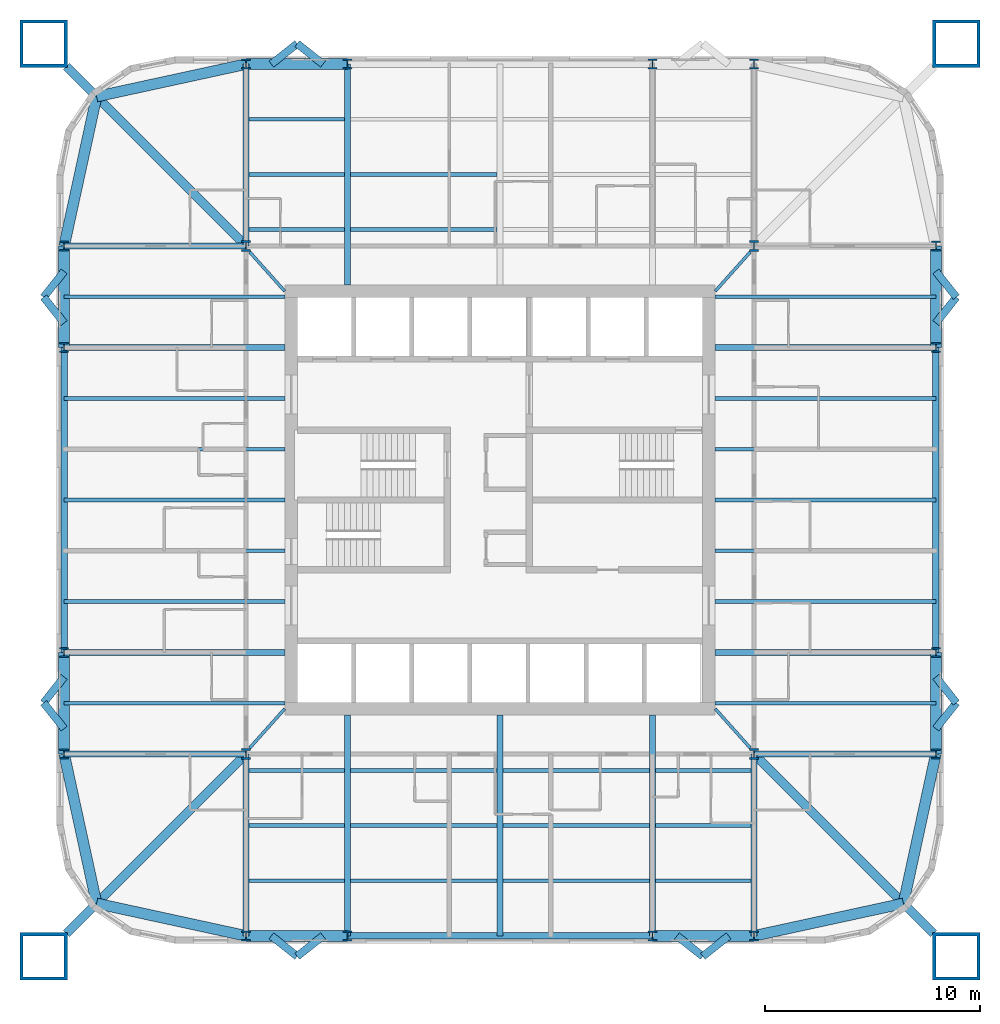
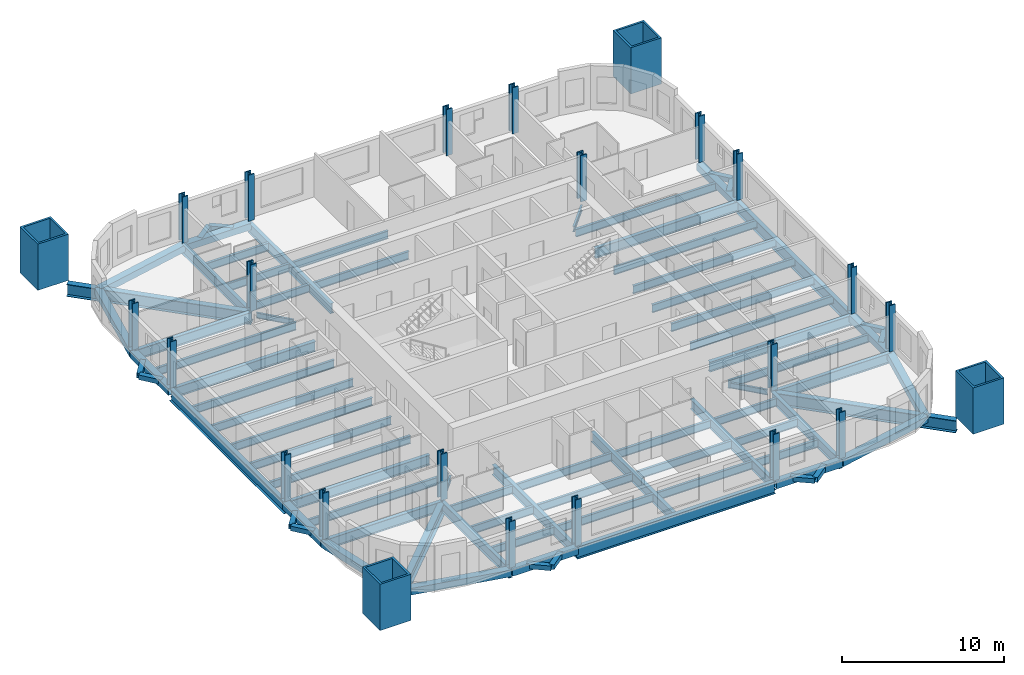
# One storey, part 1 of 10: 82 beams, 24 columns.
"""IFC4 building model written with IfcOpenShell, lengths in metres."""

from ifc_helpers import new_model, si_unit, direction, frame, origin, origin_2d, place, context, subcontext, project, spatial, hollow_rectangle, i_section, extrude, material, material_profile, profile_set, type_object, element, save


model = new_model("IFC4")

# Units and contexts
model_context = context("Model", 3, precision=1e-05, world=origin(), true_north=direction((0.0, 1.0)))
body_context = subcontext(model_context, "Body", "Model", "MODEL_VIEW")
ifc_project = project(units=[si_unit("LENGTHUNIT", "METRE"), si_unit("AREAUNIT", "SQUARE_METRE"), si_unit("VOLUMEUNIT", "CUBIC_METRE"), si_unit("PLANEANGLEUNIT", "RADIAN"), si_unit("MASSUNIT", "GRAM", prefix="KILO")], contexts=[model_context])

# Site, building, storey
site_placement = place(None, origin())
site = spatial("IfcSite", under=ifc_project, at=site_placement, CompositionType="ELEMENT")
building_placement = place(site_placement, origin())
building = spatial("IfcBuilding", under=site, at=building_placement, Name="Turquesa Mirador Hotel Tower", CompositionType="ELEMENT")
storey_placement = place(building_placement, frame((0.0, 0.0, 138.89990234375)))
storey = spatial("IfcBuildingStorey", under=building, at=storey_placement, Name="L37", CompositionType="ELEMENT", Elevation=138.89990234375)

# Columns
ifc_material_1 = material(Name="Steel ASTM A992 Grade 50", Category="steel")
ifc_material_profile_1 = material_profile(ifc_material_1, i_section(OverallWidth=0.421630859375, OverallDepth=0.46484375, WebThickness=0.044921875, FlangeThickness=0.072509765625, at=origin_2d()), Name="W14X398")
ifc_profile_set_1 = profile_set([ifc_material_profile_1], Name="Steel ASTM A992 Grade 50")
column_type_1 = type_object("IfcColumnType", Name="COLUMN W14X398", PredefinedType="COLUMN", material=ifc_profile_set_1)
for number, where, z_axis, x_axis, name in (
    (1, (34.75, 33.199951171875, 0.0), (0.0, 0.0, 1.0), (1.0, 0.0, 0.0), "COL-L37-P--20.25--11.80"),
    (2, (34.75, 37.919921875, 0.0), (0.0, 0.0, 1.0), (1.0, 0.0, 0.0), "COL-L37-P--20.25--7.08"),
    (3, (34.75, 52.080078125, 0.0), (0.0, 0.0, 1.0), (1.0, 0.0, 0.0), "COL-L37-P--20.25-+7.08"),
    (4, (34.75, 56.800048828125, 0.0), (0.0, 0.0, 1.0), (1.0, 0.0, 0.0), "COL-L37-P--20.25-+11.80"),
    (5, (43.199951171875, 24.75, 0.0), (0.0, 0.0, 1.0), (1.0, 0.0, 0.0), "COL-L37-P--11.80--20.25"),
    (6, (43.199951171875, 65.25, 0.0), (0.0, 0.0, 1.0), (1.0, 0.0, 0.0), "COL-L37-P--11.80-+20.25"),
    (7, (47.919921875, 24.75, 0.0), (0.0, 0.0, 1.0), (1.0, 0.0, 0.0), "COL-L37-P--7.08--20.25"),
    (8, (47.919921875, 65.25, 0.0), (0.0, 0.0, 1.0), (1.0, 0.0, 0.0), "COL-L37-P--7.08-+20.25"),
    (9, (62.080078125, 24.75, 0.0), (0.0, 0.0, 1.0), (1.0, 0.0, 0.0), "COL-L37-P-+7.08--20.25"),
    (10, (62.080078125, 65.25, 0.0), (0.0, 0.0, 1.0), (1.0, 0.0, 0.0), "COL-L37-P-+7.08-+20.25"),
    (11, (66.800048828125, 24.75, 0.0), (0.0, 0.0, 1.0), (1.0, 0.0, 0.0), "COL-L37-P-+11.80--20.25"),
    (12, (66.800048828125, 65.25, 0.0), (0.0, 0.0, 1.0), (1.0, 0.0, 0.0), "COL-L37-P-+11.80-+20.25"),
    (13, (75.25, 33.199951171875, 0.0), (0.0, 0.0, 1.0), (1.0, 0.0, 0.0), "COL-L37-P-+20.25--11.80"),
    (14, (75.25, 37.919921875, 0.0), (0.0, 0.0, 1.0), (1.0, 0.0, 0.0), "COL-L37-P-+20.25--7.08"),
    (15, (75.25, 52.080078125, 0.0), (0.0, 0.0, 1.0), (1.0, 0.0, 0.0), "COL-L37-P-+20.25-+7.08"),
    (16, (75.25, 56.800048828125, 0.0), (0.0, 0.0, 1.0), (1.0, 0.0, 0.0), "COL-L37-P-+20.25-+11.80"),
):
    element("IfcColumn", number, at=place(storey_placement, frame(where, z_axis=z_axis, x_axis=x_axis)), inside=storey, type_object=column_type_1, Name=name, PredefinedType="COLUMN", context=body_context, shape_type="SweptSolid", body=[
        extrude(i_section(OverallWidth=0.421630859375, OverallDepth=0.46484375, WebThickness=0.044921875, FlangeThickness=0.072509765625, at=origin_2d()), origin(), (0.0, 0.0, 1.0), 3.5),
    ])
ifc_material_2 = material(Name="Steel ASTM A992 Grade 50", Category="steel")
ifc_material_profile_2 = material_profile(ifc_material_2, i_section(OverallWidth=0.431884765625, OverallDepth=0.497802734375, WebThickness=0.0556640625, FlangeThickness=0.0888671875, at=origin_2d()), Name="W14X500")
ifc_profile_set_2 = profile_set([ifc_material_profile_2], Name="Steel ASTM A992 Grade 50")
column_type_2 = type_object("IfcColumnType", Name="COLUMN W14X500", PredefinedType="COLUMN", material=ifc_profile_set_2)
for number, where, z_axis, x_axis, name in (
    (17, (43.199951171875, 33.199951171875, 0.0), (0.0, 0.0, 1.0), (1.0, 0.0, 0.0), "COL-L37-K--11.80--11.80"),
    (18, (43.199951171875, 56.800048828125, 0.0), (0.0, 0.0, 1.0), (1.0, 0.0, 0.0), "COL-L37-K--11.80-+11.80"),
    (19, (66.800048828125, 33.199951171875, 0.0), (0.0, 0.0, 1.0), (1.0, 0.0, 0.0), "COL-L37-K-+11.80--11.80"),
    (20, (66.800048828125, 56.800048828125, 0.0), (0.0, 0.0, 1.0), (1.0, 0.0, 0.0), "COL-L37-K-+11.80-+11.80"),
):
    element("IfcColumn", number, at=place(storey_placement, frame(where, z_axis=z_axis, x_axis=x_axis)), inside=storey, type_object=column_type_2, Name=name, PredefinedType="COLUMN", context=body_context, shape_type="SweptSolid", body=[
        extrude(i_section(OverallWidth=0.431884765625, OverallDepth=0.497802734375, WebThickness=0.0556640625, FlangeThickness=0.0888671875, at=origin_2d()), origin(), (0.0, 0.0, 1.0), 3.5),
    ])
ifc_material_3 = material(Name="Steel ASTM A514 Grade Q", Category="steel")
ifc_material_profile_3 = material_profile(ifc_material_3, hollow_rectangle(XDim=2.199951171875, YDim=2.199951171875, WallThickness=0.14990234375, at=origin_2d()), Name="BOX2200X2200X150")
ifc_profile_set_3 = profile_set([ifc_material_profile_3], Name="Steel ASTM A514 Grade Q")
column_type_3 = type_object("IfcColumnType", Name="MEGA COLUMN BOX2200X2200X150", PredefinedType="COLUMN", material=ifc_profile_set_3)
for number, where, z_axis, x_axis, name in (
    (21, (76.199951171875, 66.199951171875, 0.0), (0.0, 0.0, 1.0), (1.0, 0.0, 0.0), "Mega column M1"),
    (22, (33.800048828125, 66.199951171875, 0.0), (0.0, 0.0, 1.0), (1.0, 0.0, 0.0), "Mega column M2"),
    (23, (33.800048828125, 23.800048828125, 0.0), (0.0, 0.0, 1.0), (1.0, 0.0, 0.0), "Mega column M3"),
    (24, (76.199951171875, 23.800048828125, 0.0), (0.0, 0.0, 1.0), (1.0, 0.0, 0.0), "Mega column M4"),
):
    element("IfcColumn", number, at=place(storey_placement, frame(where, z_axis=z_axis, x_axis=x_axis)), inside=storey, type_object=column_type_3, Name=name, PredefinedType="COLUMN", context=body_context, shape_type="SweptSolid", body=[
        extrude(hollow_rectangle(XDim=2.199951171875, YDim=2.199951171875, WallThickness=0.14990234375, at=origin_2d()), origin(), (0.0, 0.0, 1.0), 3.5),
    ])

# Beams
ifc_material_4 = material(Name="Steel ASTM A572 Grade 50", Category="steel")
ifc_material_profile_4 = material_profile(ifc_material_4, hollow_rectangle(XDim=0.5, YDim=0.5, WallThickness=0.01611328125, at=origin_2d()), Name="BOX500X500X16")
ifc_profile_set_4 = profile_set([ifc_material_profile_4], Name="Steel ASTM A572 Grade 50")
beam_type_1 = type_object("IfcBeamType", Name="BEAM BOX500X500X16", PredefinedType="BEAM", material=ifc_profile_set_4)
for number, where, z_axis, x_axis, name in (
    (25, (43.199951171875, 65.25, -0.419921875), (1.0, 0.0, 0.0), (0.0, 1.0, 0.0), "EB-L37-N-L"),
    (26, (43.199951171875, 24.75, -0.419921875), (1.0, 0.0, 0.0), (0.0, 1.0, 0.0), "EB-L37-S-L"),
    (27, (62.080078125, 24.75, -0.419921875), (1.0, 0.0, 0.0), (0.0, 1.0, 0.0), "EB-L37-S-R"),
    (28, (75.25, 33.199951171875, -0.419921875), (0.0, 1.0, 0.0), (-1.0, 0.0, 0.0), "EB-L37-E-L"),
    (29, (75.25, 52.080078125, -0.419921875), (0.0, 1.0, 0.0), (-1.0, 0.0, 0.0), "EB-L37-E-R"),
    (30, (34.75, 33.199951171875, -0.419921875), (0.0, 1.0, 0.0), (-1.0, 0.0, 0.0), "EB-L37-W-L"),
    (31, (34.75, 52.080078125, -0.419921875), (0.0, 1.0, 0.0), (-1.0, 0.0, 0.0), "EB-L37-W-R"),
):
    element("IfcBeam", number, at=place(storey_placement, frame(where, z_axis=z_axis, x_axis=x_axis)), inside=storey, type_object=beam_type_1, Name=name, PredefinedType="BEAM", context=body_context, shape_type="SweptSolid", body=[
        extrude(hollow_rectangle(XDim=0.5, YDim=0.5, WallThickness=0.01611328125, at=origin_2d()), origin(), (0.0, 0.0, 1.0), 4.719970703125),
    ])
for number, where, z_axis, x_axis, name in (
    (32, (34.75, 56.800048828125, -0.419921875), (0.212328336885, 0.977198381781, 0.0), (-0.977198381781, 0.212328336885, 0.0), "KE-L37-2-0"),
    (33, (36.25830078125, 63.74169921875, -0.419921875), (0.977198381781, 0.212328336885, 0.0), (-0.212328336885, 0.977198381781, 0.0), "KE-L37-2-1"),
    (34, (34.75, 33.199951171875, -0.419921875), (0.212328336885, -0.977198381781, 0.0), (0.977198381781, 0.212328336885, 0.0), "KE-L37-3-0"),
    (35, (36.25830078125, 26.25830078125, -0.419921875), (0.977198381781, -0.212328336885, 0.0), (0.212328336885, 0.977198381781, 0.0), "KE-L37-3-1"),
    (36, (75.25, 33.199951171875, -0.419921875), (-0.212328336885, -0.977198381781, 0.0), (0.977198381781, -0.212328336885, 0.0), "KE-L37-4-0"),
    (37, (73.74169921875, 26.25830078125, -0.419921875), (-0.977198381781, -0.212328336885, 0.0), (0.212328336885, -0.977198381781, 0.0), "KE-L37-4-1"),
):
    element("IfcBeam", number, at=place(storey_placement, frame(where, z_axis=z_axis, x_axis=x_axis)), inside=storey, type_object=beam_type_1, Name=name, PredefinedType="BEAM", context=body_context, shape_type="SweptSolid", body=[
        extrude(hollow_rectangle(XDim=0.5, YDim=0.5, WallThickness=0.01611328125, at=origin_2d()), origin(), (0.0, 0.0, 1.0), 7.103515625),
    ])
ifc_material_5 = material(Name="Steel ASTM A992 Grade 50", Category="steel")
ifc_material_profile_5 = material_profile(ifc_material_5, i_section(OverallWidth=0.140380859375, OverallDepth=0.40380859375, WebThickness=0.007080078125, FlangeThickness=0.01123046875, at=origin_2d()), Name="W16X31")
ifc_profile_set_5 = profile_set([ifc_material_profile_5], Name="Steel ASTM A992 Grade 50")
beam_type_2 = type_object("IfcBeamType", Name="BEAM W16X31", PredefinedType="BEAM", material=ifc_profile_set_5)
for number, where, z_axis, x_axis, name in (
    (38, (66.626953125, 56.518310546875, -0.371826171875), (-0.66679485947, -0.745241313525, 0.0), (0.745241313525, -0.66679485947, 0.0), "KT-L37-1"),
    (39, (43.373046875, 56.518310546875, -0.371826171875), (0.66679485947, -0.745241313525, 0.0), (0.745241313525, 0.66679485947, 0.0), "KT-L37-2"),
    (40, (43.373046875, 33.481689453125, -0.371826171875), (0.66679485947, 0.745241313525, 0.0), (-0.745241313525, 0.66679485947, 0.0), "KT-L37-3"),
    (41, (66.626953125, 33.481689453125, -0.371826171875), (-0.66679485947, 0.745241313525, 0.0), (-0.745241313525, -0.66679485947, 0.0), "KT-L37-4"),
):
    element("IfcBeam", number, at=place(storey_placement, frame(where, z_axis=z_axis, x_axis=x_axis)), inside=storey, type_object=beam_type_2, Name=name, PredefinedType="BEAM", context=body_context, shape_type="SweptSolid", body=[
        extrude(i_section(OverallWidth=0.140380859375, OverallDepth=0.40380859375, WebThickness=0.007080078125, FlangeThickness=0.01123046875, at=origin_2d()), origin(), (0.0, 0.0, 1.0), 2.43994140625),
    ])
ifc_material_6 = material(Name="Steel ASTM A992 Grade 50", Category="steel")
ifc_material_profile_6 = material_profile(ifc_material_6, i_section(OverallWidth=0.177978515625, OverallDepth=0.599365234375, WebThickness=0.010009765625, FlangeThickness=0.012939453125, at=origin_2d()), Name="W24X55")
ifc_profile_set_6 = profile_set([ifc_material_profile_6], Name="Steel ASTM A992 Grade 50")
beam_type_3 = type_object("IfcBeamType", Name="BEAM W24X55", PredefinedType="BEAM", material=ifc_profile_set_6)
beam_1_placement = place(storey_placement, frame((43.333251953125, 57.56201171875, -0.4697265625), z_axis=(1.0, 0.0, 0.0), x_axis=(0.0, 1.0, 0.0)))
element("IfcBeam", 42, at=beam_1_placement, inside=storey, type_object=beam_type_3, Name="IB-L37-N-1-0", PredefinedType="BEAM", context=body_context, shape_type="SweptSolid", body=[
    extrude(i_section(OverallWidth=0.177978515625, OverallDepth=0.599365234375, WebThickness=0.010009765625, FlangeThickness=0.012939453125, at=origin_2d()), origin(), (0.0, 0.0, 1.0), 4.453369140625),
])
beam_2_placement = place(storey_placement, frame((48.053466796875, 57.56201171875, -0.4697265625), z_axis=(1.0, 0.0, 0.0), x_axis=(0.0, 1.0, 0.0)))
element("IfcBeam", 43, at=beam_2_placement, inside=storey, type_object=beam_type_3, Name="IB-L37-N-1-1", PredefinedType="BEAM", context=body_context, shape_type="SweptSolid", body=[
    extrude(i_section(OverallWidth=0.177978515625, OverallDepth=0.599365234375, WebThickness=0.010009765625, FlangeThickness=0.012939453125, at=origin_2d()), origin(), (0.0, 0.0, 1.0), 6.813232421875),
])
beam_3_placement = place(storey_placement, frame((43.333251953125, 60.125, -0.4697265625), z_axis=(1.0, 0.0, 0.0), x_axis=(0.0, 1.0, 0.0)))
element("IfcBeam", 44, at=beam_3_placement, inside=storey, type_object=beam_type_3, Name="IB-L37-N-2-0", PredefinedType="BEAM", context=body_context, shape_type="SweptSolid", body=[
    extrude(i_section(OverallWidth=0.177978515625, OverallDepth=0.599365234375, WebThickness=0.010009765625, FlangeThickness=0.012939453125, at=origin_2d()), origin(), (0.0, 0.0, 1.0), 4.453369140625),
])
beam_4_placement = place(storey_placement, frame((48.053466796875, 60.125, -0.4697265625), z_axis=(1.0, 0.0, 0.0), x_axis=(0.0, 1.0, 0.0)))
element("IfcBeam", 45, at=beam_4_placement, inside=storey, type_object=beam_type_3, Name="IB-L37-N-2-1", PredefinedType="BEAM", context=body_context, shape_type="SweptSolid", body=[
    extrude(i_section(OverallWidth=0.177978515625, OverallDepth=0.599365234375, WebThickness=0.010009765625, FlangeThickness=0.012939453125, at=origin_2d()), origin(), (0.0, 0.0, 1.0), 6.813232421875),
])
for number, where, z_axis, x_axis, name in (
    (46, (43.333251953125, 62.68798828125, -0.4697265625), (1.0, 0.0, 0.0), (0.0, 1.0, 0.0), "IB-L37-N-3-0"),
    (47, (43.333251953125, 32.43798828125, -0.4697265625), (1.0, 0.0, 0.0), (0.0, 1.0, 0.0), "IB-L37-S-1-0"),
):
    element("IfcBeam", number, at=place(storey_placement, frame(where, z_axis=z_axis, x_axis=x_axis)), inside=storey, type_object=beam_type_3, Name=name, PredefinedType="BEAM", context=body_context, shape_type="SweptSolid", body=[
        extrude(i_section(OverallWidth=0.177978515625, OverallDepth=0.599365234375, WebThickness=0.010009765625, FlangeThickness=0.012939453125, at=origin_2d()), origin(), (0.0, 0.0, 1.0), 4.453369140625),
    ])
for number, where, z_axis, x_axis, name in (
    (48, (48.053466796875, 32.43798828125, -0.4697265625), (1.0, 0.0, 0.0), (0.0, 1.0, 0.0), "IB-L37-S-1-1"),
    (49, (55.13330078125, 32.43798828125, -0.4697265625), (1.0, 0.0, 0.0), (0.0, 1.0, 0.0), "IB-L37-S-1-2"),
):
    element("IfcBeam", number, at=place(storey_placement, frame(where, z_axis=z_axis, x_axis=x_axis)), inside=storey, type_object=beam_type_3, Name=name, PredefinedType="BEAM", context=body_context, shape_type="SweptSolid", body=[
        extrude(i_section(OverallWidth=0.177978515625, OverallDepth=0.599365234375, WebThickness=0.010009765625, FlangeThickness=0.012939453125, at=origin_2d()), origin(), (0.0, 0.0, 1.0), 6.813232421875),
    ])
for number, where, z_axis, x_axis, name in (
    (50, (62.21337890625, 32.43798828125, -0.4697265625), (1.0, 0.0, 0.0), (0.0, 1.0, 0.0), "IB-L37-S-1-3"),
    (51, (43.333251953125, 29.875, -0.4697265625), (1.0, 0.0, 0.0), (0.0, 1.0, 0.0), "IB-L37-S-2-0"),
):
    element("IfcBeam", number, at=place(storey_placement, frame(where, z_axis=z_axis, x_axis=x_axis)), inside=storey, type_object=beam_type_3, Name=name, PredefinedType="BEAM", context=body_context, shape_type="SweptSolid", body=[
        extrude(i_section(OverallWidth=0.177978515625, OverallDepth=0.599365234375, WebThickness=0.010009765625, FlangeThickness=0.012939453125, at=origin_2d()), origin(), (0.0, 0.0, 1.0), 4.453369140625),
    ])
for number, where, z_axis, x_axis, name in (
    (52, (48.053466796875, 29.875, -0.4697265625), (1.0, 0.0, 0.0), (0.0, 1.0, 0.0), "IB-L37-S-2-1"),
    (53, (55.13330078125, 29.875, -0.4697265625), (1.0, 0.0, 0.0), (0.0, 1.0, 0.0), "IB-L37-S-2-2"),
):
    element("IfcBeam", number, at=place(storey_placement, frame(where, z_axis=z_axis, x_axis=x_axis)), inside=storey, type_object=beam_type_3, Name=name, PredefinedType="BEAM", context=body_context, shape_type="SweptSolid", body=[
        extrude(i_section(OverallWidth=0.177978515625, OverallDepth=0.599365234375, WebThickness=0.010009765625, FlangeThickness=0.012939453125, at=origin_2d()), origin(), (0.0, 0.0, 1.0), 6.813232421875),
    ])
for number, where, z_axis, x_axis, name in (
    (54, (62.21337890625, 29.875, -0.4697265625), (1.0, 0.0, 0.0), (0.0, 1.0, 0.0), "IB-L37-S-2-3"),
    (55, (43.333251953125, 27.31201171875, -0.4697265625), (1.0, 0.0, 0.0), (0.0, 1.0, 0.0), "IB-L37-S-3-0"),
):
    element("IfcBeam", number, at=place(storey_placement, frame(where, z_axis=z_axis, x_axis=x_axis)), inside=storey, type_object=beam_type_3, Name=name, PredefinedType="BEAM", context=body_context, shape_type="SweptSolid", body=[
        extrude(i_section(OverallWidth=0.177978515625, OverallDepth=0.599365234375, WebThickness=0.010009765625, FlangeThickness=0.012939453125, at=origin_2d()), origin(), (0.0, 0.0, 1.0), 4.453369140625),
    ])
for number, where, z_axis, x_axis, name in (
    (56, (48.053466796875, 27.31201171875, -0.4697265625), (1.0, 0.0, 0.0), (0.0, 1.0, 0.0), "IB-L37-S-3-1"),
    (57, (55.13330078125, 27.31201171875, -0.4697265625), (1.0, 0.0, 0.0), (0.0, 1.0, 0.0), "IB-L37-S-3-2"),
):
    element("IfcBeam", number, at=place(storey_placement, frame(where, z_axis=z_axis, x_axis=x_axis)), inside=storey, type_object=beam_type_3, Name=name, PredefinedType="BEAM", context=body_context, shape_type="SweptSolid", body=[
        extrude(i_section(OverallWidth=0.177978515625, OverallDepth=0.599365234375, WebThickness=0.010009765625, FlangeThickness=0.012939453125, at=origin_2d()), origin(), (0.0, 0.0, 1.0), 6.813232421875),
    ])
beam_5_placement = place(storey_placement, frame((62.21337890625, 27.31201171875, -0.4697265625), z_axis=(1.0, 0.0, 0.0), x_axis=(0.0, 1.0, 0.0)))
element("IfcBeam", 58, at=beam_5_placement, inside=storey, type_object=beam_type_3, Name="IB-L37-S-3-3", PredefinedType="BEAM", context=body_context, shape_type="SweptSolid", body=[
    extrude(i_section(OverallWidth=0.177978515625, OverallDepth=0.599365234375, WebThickness=0.010009765625, FlangeThickness=0.012939453125, at=origin_2d()), origin(), (0.0, 0.0, 1.0), 4.453369140625),
])
for number, where, z_axis, x_axis, name in (
    (59, (75.25, 35.56005859375, -0.4697265625), (-1.0, 0.0, 0.0), (0.0, -1.0, 0.0), "BM-L37-E--9.44"),
    (60, (75.25, 40.280029296875, -0.4697265625), (-1.0, 0.0, 0.0), (0.0, -1.0, 0.0), "BM-L37-E--4.72"),
    (61, (75.25, 42.639892578125, -0.4697265625), (-1.0, 0.0, 0.0), (0.0, -1.0, 0.0), "BM-L37-E--2.36"),
    (62, (75.25, 45.0, -0.4697265625), (-1.0, 0.0, 0.0), (0.0, -1.0, 0.0), "BM-L37-E-+0.00"),
    (63, (75.25, 47.360107421875, -0.4697265625), (-1.0, 0.0, 0.0), (0.0, -1.0, 0.0), "BM-L37-E-+2.36"),
    (64, (75.25, 49.719970703125, -0.4697265625), (-1.0, 0.0, 0.0), (0.0, -1.0, 0.0), "BM-L37-E-+4.72"),
    (65, (75.25, 54.43994140625, -0.4697265625), (-1.0, 0.0, 0.0), (0.0, -1.0, 0.0), "BM-L37-E-+9.44"),
    (66, (34.75, 35.56005859375, -0.4697265625), (1.0, 0.0, 0.0), (0.0, 1.0, 0.0), "BM-L37-W--9.44"),
    (67, (34.75, 40.280029296875, -0.4697265625), (1.0, 0.0, 0.0), (0.0, 1.0, 0.0), "BM-L37-W--4.72"),
    (68, (34.75, 42.639892578125, -0.4697265625), (1.0, 0.0, 0.0), (0.0, 1.0, 0.0), "BM-L37-W--2.36"),
    (69, (34.75, 45.0, -0.4697265625), (1.0, 0.0, 0.0), (0.0, 1.0, 0.0), "BM-L37-W-+0.00"),
    (70, (34.75, 47.360107421875, -0.4697265625), (1.0, 0.0, 0.0), (0.0, 1.0, 0.0), "BM-L37-W-+2.36"),
    (71, (34.75, 49.719970703125, -0.4697265625), (1.0, 0.0, 0.0), (0.0, 1.0, 0.0), "BM-L37-W-+4.72"),
    (72, (34.75, 54.43994140625, -0.4697265625), (1.0, 0.0, 0.0), (0.0, 1.0, 0.0), "BM-L37-W-+9.44"),
):
    element("IfcBeam", number, at=place(storey_placement, frame(where, z_axis=z_axis, x_axis=x_axis)), inside=storey, type_object=beam_type_3, Name=name, PredefinedType="BEAM", context=body_context, shape_type="SweptSolid", body=[
        extrude(i_section(OverallWidth=0.177978515625, OverallDepth=0.599365234375, WebThickness=0.010009765625, FlangeThickness=0.012939453125, at=origin_2d()), origin(), (0.0, 0.0, 1.0), 10.25),
    ])
ifc_material_7 = material(Name="Steel ASTM A992 Grade 50", Category="steel")
ifc_material_profile_7 = material_profile(ifc_material_7, i_section(OverallWidth=0.2666015625, OverallDepth=0.7568359375, WebThickness=0.013916015625, FlangeThickness=0.019287109375, at=origin_2d()), Name="W30X108")
ifc_profile_set_7 = profile_set([ifc_material_profile_7], Name="Steel ASTM A992 Grade 50")
beam_type_4 = type_object("IfcBeamType", Name="BEAM W30X108", PredefinedType="BEAM", material=ifc_profile_set_7)
beam_6_placement = place(storey_placement, frame((47.919921875, 65.25, -0.54833984375), z_axis=(0.0, -1.0, 0.0), x_axis=(1.0, 0.0, 0.0)))
element("IfcBeam", 73, at=beam_6_placement, inside=storey, type_object=beam_type_4, Name="GD-L37-N--7.08", PredefinedType="BEAM", context=body_context, shape_type="SweptSolid", body=[
    extrude(i_section(OverallWidth=0.2666015625, OverallDepth=0.7568359375, WebThickness=0.013916015625, FlangeThickness=0.019287109375, at=origin_2d()), origin(), (0.0, 0.0, 1.0), 10.25),
])
beam_7_placement = place(storey_placement, frame((43.199951171875, 65.25, -0.54833984375), z_axis=(0.0, -1.0, 0.0), x_axis=(1.0, 0.0, 0.0)))
element("IfcBeam", 74, at=beam_7_placement, inside=storey, type_object=beam_type_4, Name="GK-L37-N--11.80", PredefinedType="BEAM", context=body_context, shape_type="SweptSolid", body=[
    extrude(i_section(OverallWidth=0.2666015625, OverallDepth=0.7568359375, WebThickness=0.013916015625, FlangeThickness=0.019287109375, at=origin_2d()), origin(), (0.0, 0.0, 1.0), 8.449951171875),
])
for number, where, z_axis, x_axis, name in (
    (75, (47.919921875, 24.75, -0.54833984375), (0.0, 1.0, 0.0), (-1.0, 0.0, 0.0), "GD-L37-S--7.08"),
    (76, (62.080078125, 24.75, -0.54833984375), (0.0, 1.0, 0.0), (-1.0, 0.0, 0.0), "GD-L37-S-+7.08"),
    (77, (55.0, 24.75, -0.54833984375), (0.0, 1.0, 0.0), (-1.0, 0.0, 0.0), "GD-L37-S-+0.00"),
):
    element("IfcBeam", number, at=place(storey_placement, frame(where, z_axis=z_axis, x_axis=x_axis)), inside=storey, type_object=beam_type_4, Name=name, PredefinedType="BEAM", context=body_context, shape_type="SweptSolid", body=[
        extrude(i_section(OverallWidth=0.2666015625, OverallDepth=0.7568359375, WebThickness=0.013916015625, FlangeThickness=0.019287109375, at=origin_2d()), origin(), (0.0, 0.0, 1.0), 10.25),
    ])
for number, where, z_axis, x_axis, name in (
    (78, (43.199951171875, 24.75, -0.54833984375), (0.0, 1.0, 0.0), (-1.0, 0.0, 0.0), "GK-L37-S--11.80"),
    (79, (66.800048828125, 24.75, -0.54833984375), (0.0, 1.0, 0.0), (-1.0, 0.0, 0.0), "GK-L37-S-+11.80"),
):
    element("IfcBeam", number, at=place(storey_placement, frame(where, z_axis=z_axis, x_axis=x_axis)), inside=storey, type_object=beam_type_4, Name=name, PredefinedType="BEAM", context=body_context, shape_type="SweptSolid", body=[
        extrude(i_section(OverallWidth=0.2666015625, OverallDepth=0.7568359375, WebThickness=0.013916015625, FlangeThickness=0.019287109375, at=origin_2d()), origin(), (0.0, 0.0, 1.0), 8.449951171875),
    ])
for number, where, z_axis, x_axis, name in (
    (80, (75.25, 37.919921875, -0.54833984375), (-1.0, 0.0, 0.0), (0.0, -1.0, 0.0), "GD-L37-E--7.08"),
    (81, (75.25, 52.080078125, -0.54833984375), (-1.0, 0.0, 0.0), (0.0, -1.0, 0.0), "GD-L37-E-+7.08"),
):
    element("IfcBeam", number, at=place(storey_placement, frame(where, z_axis=z_axis, x_axis=x_axis)), inside=storey, type_object=beam_type_4, Name=name, PredefinedType="BEAM", context=body_context, shape_type="SweptSolid", body=[
        extrude(i_section(OverallWidth=0.2666015625, OverallDepth=0.7568359375, WebThickness=0.013916015625, FlangeThickness=0.019287109375, at=origin_2d()), origin(), (0.0, 0.0, 1.0), 10.25),
    ])
beam_8_placement = place(storey_placement, frame((75.25, 33.199951171875, -0.54833984375), z_axis=(-1.0, 0.0, 0.0), x_axis=(0.0, -1.0, 0.0)))
element("IfcBeam", 82, at=beam_8_placement, inside=storey, type_object=beam_type_4, Name="GK-L37-E--11.80", PredefinedType="BEAM", context=body_context, shape_type="SweptSolid", body=[
    extrude(i_section(OverallWidth=0.2666015625, OverallDepth=0.7568359375, WebThickness=0.013916015625, FlangeThickness=0.019287109375, at=origin_2d()), origin(), (0.0, 0.0, 1.0), 8.449951171875),
])
for number, where, z_axis, x_axis, name in (
    (83, (34.75, 37.919921875, -0.54833984375), (1.0, 0.0, 0.0), (0.0, 1.0, 0.0), "GD-L37-W--7.08"),
    (84, (34.75, 52.080078125, -0.54833984375), (1.0, 0.0, 0.0), (0.0, 1.0, 0.0), "GD-L37-W-+7.08"),
):
    element("IfcBeam", number, at=place(storey_placement, frame(where, z_axis=z_axis, x_axis=x_axis)), inside=storey, type_object=beam_type_4, Name=name, PredefinedType="BEAM", context=body_context, shape_type="SweptSolid", body=[
        extrude(i_section(OverallWidth=0.2666015625, OverallDepth=0.7568359375, WebThickness=0.013916015625, FlangeThickness=0.019287109375, at=origin_2d()), origin(), (0.0, 0.0, 1.0), 10.25),
    ])
for number, where, z_axis, x_axis, name in (
    (85, (34.75, 33.199951171875, -0.54833984375), (1.0, 0.0, 0.0), (0.0, 1.0, 0.0), "GK-L37-W--11.80"),
    (86, (34.75, 56.800048828125, -0.54833984375), (1.0, 0.0, 0.0), (0.0, 1.0, 0.0), "GK-L37-W-+11.80"),
):
    element("IfcBeam", number, at=place(storey_placement, frame(where, z_axis=z_axis, x_axis=x_axis)), inside=storey, type_object=beam_type_4, Name=name, PredefinedType="BEAM", context=body_context, shape_type="SweptSolid", body=[
        extrude(i_section(OverallWidth=0.2666015625, OverallDepth=0.7568359375, WebThickness=0.013916015625, FlangeThickness=0.019287109375, at=origin_2d()), origin(), (0.0, 0.0, 1.0), 8.449951171875),
    ])
ifc_material_8 = material(Name="Steel ASTM A992 Grade 50", Category="steel")
ifc_material_profile_8 = material_profile(ifc_material_8, i_section(OverallWidth=0.3046875, OverallDepth=0.911865234375, WebThickness=0.015869140625, FlangeThickness=0.02392578125, at=origin_2d()), Name="W36X150")
ifc_profile_set_8 = profile_set([ifc_material_profile_8], Name="Steel ASTM A992 Grade 50")
beam_type_5 = type_object("IfcBeamType", Name="BEAM W36X150", PredefinedType="BEAM", material=ifc_profile_set_8)
for number, where, z_axis, x_axis, name in (
    (87, (47.919921875, 24.75, -0.625732421875), (1.0, 0.0, 0.0), (0.0, 1.0, 0.0), "EB-L37-S-C"),
    (88, (75.25, 37.919921875, -0.625732421875), (0.0, 1.0, 0.0), (-1.0, 0.0, 0.0), "EB-L37-E-C"),
    (89, (34.75, 37.919921875, -0.625732421875), (0.0, 1.0, 0.0), (-1.0, 0.0, 0.0), "EB-L37-W-C"),
):
    element("IfcBeam", number, at=place(storey_placement, frame(where, z_axis=z_axis, x_axis=x_axis)), inside=storey, type_object=beam_type_5, Name=name, PredefinedType="BEAM", context=body_context, shape_type="SweptSolid", body=[
        extrude(i_section(OverallWidth=0.3046875, OverallDepth=0.911865234375, WebThickness=0.015869140625, FlangeThickness=0.02392578125, at=origin_2d()), origin(), (0.0, 0.0, 1.0), 14.16015625),
    ])
ifc_material_9 = material(Name="Steel ASTM A992 Grade 50", Category="steel")
ifc_material_profile_9 = material_profile(ifc_material_9, i_section(OverallWidth=0.419189453125, OverallDepth=0.927001953125, WebThickness=0.019287109375, FlangeThickness=0.031982421875, at=origin_2d()), Name="W36X231")
ifc_profile_set_9 = profile_set([ifc_material_profile_9], Name="Steel ASTM A992 Grade 50")
beam_type_6 = type_object("IfcBeamType", Name="BEAM W36X231", PredefinedType="BEAM", material=ifc_profile_set_9)
for number, where, z_axis, x_axis, name in (
    (90, (43.199951171875, 56.800048828125, -0.633544921875), (-0.707106781187, 0.707106781187, 0.0), (-0.707106781187, -0.707106781187, 0.0), "KD-L37-2"),
    (91, (43.199951171875, 33.199951171875, -0.633544921875), (-0.707106781187, -0.707106781187, 0.0), (0.707106781187, -0.707106781187, 0.0), "KD-L37-3"),
    (92, (66.800048828125, 33.199951171875, -0.633544921875), (0.707106781187, -0.707106781187, 0.0), (0.707106781187, 0.707106781187, 0.0), "KD-L37-4"),
):
    element("IfcBeam", number, at=place(storey_placement, frame(where, z_axis=z_axis, x_axis=x_axis)), inside=storey, type_object=beam_type_6, Name=name, PredefinedType="BEAM", context=body_context, shape_type="SweptSolid", body=[
        extrude(i_section(OverallWidth=0.419189453125, OverallDepth=0.927001953125, WebThickness=0.019287109375, FlangeThickness=0.031982421875, at=origin_2d()), origin(), (0.0, 0.0, 1.0), 11.80859375),
    ])
ifc_material_10 = material(Name="Steel ASTM A500 Grade C", Category="steel")
ifc_material_profile_10 = material_profile(ifc_material_10, hollow_rectangle(XDim=0.355712890625, YDim=0.355712890625, WallThickness=0.0146484375, at=origin_2d()), Name="HSS14X14X5/8")
ifc_profile_set_10 = profile_set([ifc_material_profile_10], Name="Steel ASTM A500 Grade C")
beam_type_7 = type_object("IfcBeamType", Name="BRACE STRUT HSS14X14X5/8", PredefinedType="BEAM", material=ifc_profile_set_10)
beam_9_placement = place(storey_placement, frame((45.577880859375, 66.199951171875, -0.34765625), z_axis=(-0.784110506071, -0.620621232531, 0.0), x_axis=(0.620621232531, -0.784110506071, 0.0)))
element("IfcBeam", 93, at=beam_9_placement, inside=storey, type_object=beam_type_7, Name="Brace strut", PredefinedType="BEAM", context=body_context, shape_type="SweptSolid", body=[
    extrude(hollow_rectangle(XDim=0.355712890625, YDim=0.355712890625, WallThickness=0.0146484375, at=origin_2d()), origin(), (0.0, 0.0, 1.0), 1.53076171875),
])
for number, where, z_axis, x_axis, name in (
    (94, (45.577880859375, 66.199951171875, -0.34765625), (0.784049059149, -0.620698858423, 0.0), (0.620698858423, 0.784049059149, 0.0), "Brace strut"),
    (95, (64.422119140625, 23.800048828125, -0.34765625), (-0.784049059149, 0.620698858423, 0.0), (-0.620698858423, -0.784049059149, 0.0), "Brace strut"),
):
    element("IfcBeam", number, at=place(storey_placement, frame(where, z_axis=z_axis, x_axis=x_axis)), inside=storey, type_object=beam_type_7, Name=name, PredefinedType="BEAM", context=body_context, shape_type="SweptSolid", body=[
        extrude(hollow_rectangle(XDim=0.355712890625, YDim=0.355712890625, WallThickness=0.0146484375, at=origin_2d()), origin(), (0.0, 0.0, 1.0), 1.530517578125),
    ])
for number, where, z_axis, x_axis, name in (
    (96, (64.422119140625, 23.800048828125, -0.34765625), (0.784110506071, 0.620621232531, 0.0), (-0.620621232531, 0.784110506071, 0.0), "Brace strut"),
    (97, (45.577880859375, 23.800048828125, -0.34765625), (-0.784110506071, 0.620621232531, 0.0), (-0.620621232531, -0.784110506071, 0.0), "Brace strut"),
):
    element("IfcBeam", number, at=place(storey_placement, frame(where, z_axis=z_axis, x_axis=x_axis)), inside=storey, type_object=beam_type_7, Name=name, PredefinedType="BEAM", context=body_context, shape_type="SweptSolid", body=[
        extrude(hollow_rectangle(XDim=0.355712890625, YDim=0.355712890625, WallThickness=0.0146484375, at=origin_2d()), origin(), (0.0, 0.0, 1.0), 1.53076171875),
    ])
for number, where, z_axis, x_axis, name in (
    (98, (45.577880859375, 23.800048828125, -0.34765625), (0.784049059149, 0.620698858423, 0.0), (-0.620698858423, 0.784049059149, 0.0), "Brace strut"),
    (99, (76.199951171875, 54.422119140625, -0.34765625), (-0.620698858423, -0.784049059149, 0.0), (0.784049059149, -0.620698858423, 0.0), "Brace strut"),
):
    element("IfcBeam", number, at=place(storey_placement, frame(where, z_axis=z_axis, x_axis=x_axis)), inside=storey, type_object=beam_type_7, Name=name, PredefinedType="BEAM", context=body_context, shape_type="SweptSolid", body=[
        extrude(hollow_rectangle(XDim=0.355712890625, YDim=0.355712890625, WallThickness=0.0146484375, at=origin_2d()), origin(), (0.0, 0.0, 1.0), 1.530517578125),
    ])
for number, where, z_axis, x_axis, name in (
    (100, (76.199951171875, 54.422119140625, -0.34765625), (-0.620621232531, 0.784110506071, 0.0), (-0.784110506071, -0.620621232531, 0.0), "Brace strut"),
    (101, (76.199951171875, 35.577880859375, -0.34765625), (-0.620621232531, -0.784110506071, 0.0), (0.784110506071, -0.620621232531, 0.0), "Brace strut"),
):
    element("IfcBeam", number, at=place(storey_placement, frame(where, z_axis=z_axis, x_axis=x_axis)), inside=storey, type_object=beam_type_7, Name=name, PredefinedType="BEAM", context=body_context, shape_type="SweptSolid", body=[
        extrude(hollow_rectangle(XDim=0.355712890625, YDim=0.355712890625, WallThickness=0.0146484375, at=origin_2d()), origin(), (0.0, 0.0, 1.0), 1.53076171875),
    ])
for number, where, z_axis, x_axis, name in (
    (102, (76.199951171875, 35.577880859375, -0.34765625), (-0.620698858423, 0.784049059149, 0.0), (-0.784049059149, -0.620698858423, 0.0), "Brace strut"),
    (103, (33.800048828125, 54.422119140625, -0.34765625), (0.620698858423, -0.784049059149, 0.0), (0.784049059149, 0.620698858423, 0.0), "Brace strut"),
):
    element("IfcBeam", number, at=place(storey_placement, frame(where, z_axis=z_axis, x_axis=x_axis)), inside=storey, type_object=beam_type_7, Name=name, PredefinedType="BEAM", context=body_context, shape_type="SweptSolid", body=[
        extrude(hollow_rectangle(XDim=0.355712890625, YDim=0.355712890625, WallThickness=0.0146484375, at=origin_2d()), origin(), (0.0, 0.0, 1.0), 1.530517578125),
    ])
for number, where, z_axis, x_axis, name in (
    (104, (33.800048828125, 54.422119140625, -0.34765625), (0.620621232531, 0.784110506071, 0.0), (-0.784110506071, 0.620621232531, 0.0), "Brace strut"),
    (105, (33.800048828125, 35.577880859375, -0.34765625), (0.620621232531, -0.784110506071, 0.0), (0.784110506071, 0.620621232531, 0.0), "Brace strut"),
):
    element("IfcBeam", number, at=place(storey_placement, frame(where, z_axis=z_axis, x_axis=x_axis)), inside=storey, type_object=beam_type_7, Name=name, PredefinedType="BEAM", context=body_context, shape_type="SweptSolid", body=[
        extrude(hollow_rectangle(XDim=0.355712890625, YDim=0.355712890625, WallThickness=0.0146484375, at=origin_2d()), origin(), (0.0, 0.0, 1.0), 1.53076171875),
    ])
beam_10_placement = place(storey_placement, frame((33.800048828125, 35.577880859375, -0.34765625), z_axis=(0.620698858423, 0.784049059149, 0.0), x_axis=(-0.784049059149, 0.620698858423, 0.0)))
element("IfcBeam", 106, at=beam_10_placement, inside=storey, type_object=beam_type_7, Name="Brace strut", PredefinedType="BEAM", context=body_context, shape_type="SweptSolid", body=[
    extrude(hollow_rectangle(XDim=0.355712890625, YDim=0.355712890625, WallThickness=0.0146484375, at=origin_2d()), origin(), (0.0, 0.0, 1.0), 1.530517578125),
])

save(model, "model.ifc")
